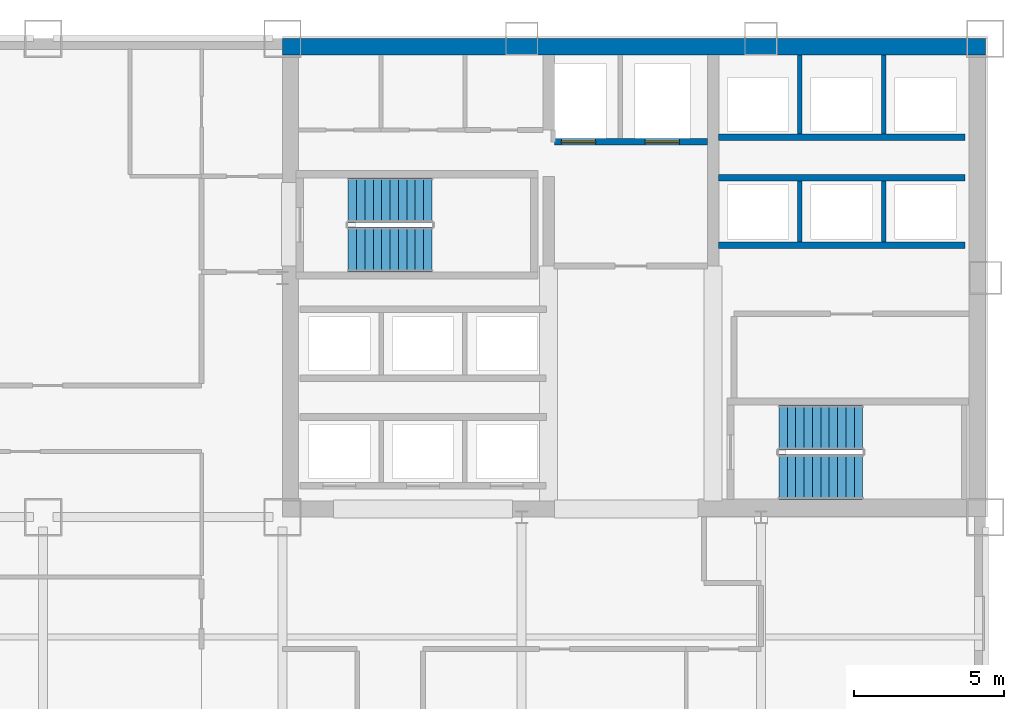
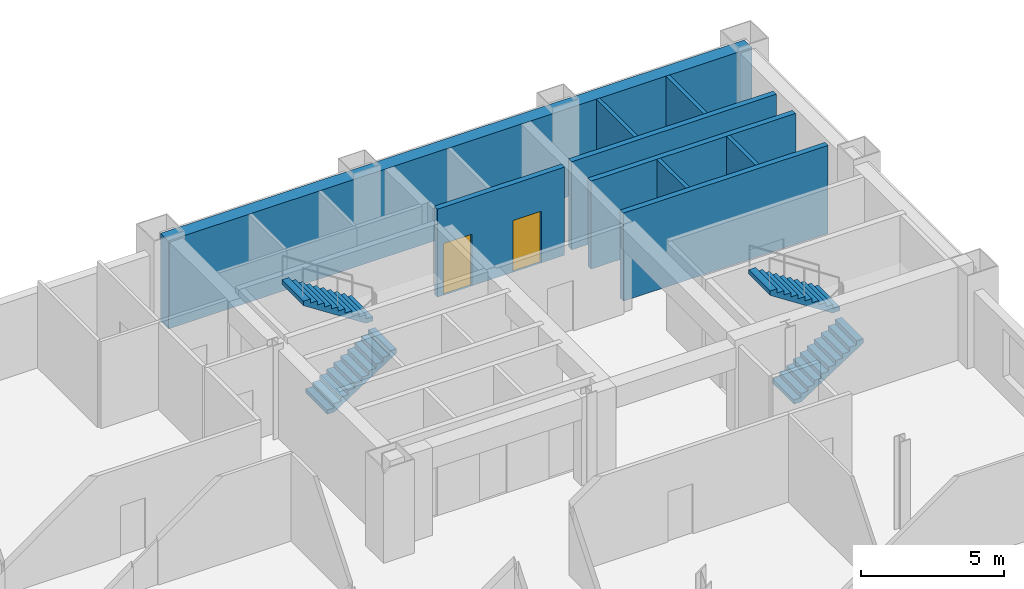
# One storey, part 7 of 9: 9 walls, 4 stair flights, 2 doors, 2 openings, 2 elements without a shape of their own.
"""IFC4 building model written with IfcOpenShell, lengths in metres."""

import ifcopenshell
import ifcopenshell.guid

model = None  # the IFC model being written
_history = None  # IfcOwnerHistory: only IFC2X3 demands one
_inside = {}  # id of a spatial element -> (the spatial element, [elements in it])
_under = {}  # id of a project, library or spatial element -> (it, [spatial elements below it])
_declared = {}  # id of a project -> (the project, [libraries it declares])
_typed = {}  # id of a type object -> (the type object, [elements of that type])
_made_of = {}  # id of a material, layer set ... -> (it, [elements and type objects made of it])


def new_model(schema):
    """Start an empty IFC model of exactly this schema.

    Asked for "IFC4X3", IfcOpenShell would pick the latest addendum, in which some entities
    have other attributes; the version numbers below select the first issue.
    IFC2X3 requires an IfcOwnerHistory on every rooted entity: one is made here for all.
    """
    global model, _history
    if schema == "IFC4X3":
        model = ifcopenshell.file(schema_version=(4, 3, 0, 0))
    else:
        model = ifcopenshell.file(schema=schema)
    _inside.clear()
    _under.clear()
    _declared.clear()
    _typed.clear()
    _made_of.clear()
    _history = None
    if model.schema == "IFC2X3":
        org = make("IfcOrganization", Name="unknown")
        user = make(
            "IfcPersonAndOrganization",
            ThePerson=make("IfcPerson", FamilyName="unknown"),
            TheOrganization=org,
        )
        app = make(
            "IfcApplication",
            ApplicationDeveloper=org,
            Version="unknown",
            ApplicationFullName="unknown",
            ApplicationIdentifier="unknown",
        )
        _history = make(
            "IfcOwnerHistory",
            OwningUser=user,
            OwningApplication=app,
            ChangeAction="ADDED",
            CreationDate=0,
        )
    return model


def make(cls, **values):
    """One entity of the class cls with the attributes given. An attribute that is None is left unset."""
    return model.create_entity(
        cls, **{name: value for name, value in values.items() if value is not None}
    )


def rooted(cls, **values):
    """An entity with a GlobalId (a new one), such as an element, a storey or a relation."""
    return make(cls, GlobalId=ifcopenshell.guid.new(), OwnerHistory=_history, **values)


def si_unit(unit_type, name, prefix=None):
    """IfcSIUnit, for example si_unit("LENGTHUNIT", "METRE", prefix="MILLI")."""
    return make("IfcSIUnit", UnitType=unit_type, Prefix=prefix, Name=name)


def assignment(units):
    """IfcUnitAssignment: the units of a project."""
    return None if units is None else make("IfcUnitAssignment", Units=units)


def point(xyz):
    """IfcCartesianPoint."""
    return None if xyz is None else make("IfcCartesianPoint", Coordinates=xyz)


def direction(xyz):
    """IfcDirection."""
    return None if xyz is None else make("IfcDirection", DirectionRatios=xyz)


def frame(location, z_axis=None, x_axis=None):
    """IfcAxis2Placement3D, a coordinate frame: its origin and axes. An axis left out is left unset."""
    return make(
        "IfcAxis2Placement3D",
        Location=point(location),
        Axis=direction(z_axis),
        RefDirection=direction(x_axis),
    )


def frame_2d(location, x_axis=None):
    """IfcAxis2Placement2D, a coordinate frame in the plane: its origin and x axis."""
    return make(
        "IfcAxis2Placement2D", Location=point(location), RefDirection=direction(x_axis)
    )


def origin():
    """The frame at (0, 0, 0) with its axes left unset."""
    return frame((0.0, 0.0, 0.0))


def place(relative_to, where):
    """IfcLocalPlacement: puts the frame where relative to a parent placement (None: the world)."""
    return make(
        "IfcLocalPlacement", PlacementRelTo=relative_to, RelativePlacement=where
    )


def context(
    kind, dimensions, precision=None, world=None, true_north=None, identifier=None
):
    """IfcGeometricRepresentationContext, for example the 3D "Model" context."""
    return make(
        "IfcGeometricRepresentationContext",
        ContextIdentifier=identifier,
        ContextType=kind,
        CoordinateSpaceDimension=dimensions,
        Precision=precision,
        WorldCoordinateSystem=world,
        TrueNorth=true_north,
    )


def subcontext(parent, identifier, kind, view, scale=None):
    """IfcGeometricRepresentationSubContext, for example "Body" below "Model"."""
    return make(
        "IfcGeometricRepresentationSubContext",
        ContextIdentifier=identifier,
        ContextType=kind,
        ParentContext=parent,
        TargetScale=scale,
        TargetView=view,
    )


def project(units=None, contexts=None):
    """IfcProject with its units and contexts."""
    return rooted(
        "IfcProject",
        Name="project",
        RepresentationContexts=contexts,
        UnitsInContext=assignment(units),
    )


def spatial(cls, under=None, at=None, **own):
    """A site, building, storey or space (cls), placed at a placement, below another one or the project."""
    s = rooted(cls, ObjectPlacement=at, **own)
    if under is not None:
        _under.setdefault(under.id(), (under, []))[1].append(s)
    return s


def polyline(points):
    """IfcPolyline through the points."""
    return make("IfcPolyline", Points=[point(p) for p in points])


def profile(cls, at=None, kind="AREA", **sizes):
    """A parametric profile (cls). Its sizes go by their IFC names, for example OverallWidth=200.0."""
    return make(cls, ProfileType=kind, Position=at, **sizes)


def rectangle(**sizes):
    """IfcRectangleProfileDef."""
    return profile("IfcRectangleProfileDef", **sizes)


def outline(outer, holes=None, kind="AREA"):
    """IfcArbitraryClosedProfileDef: a profile drawn as a closed curve; with holes, ...WithVoids."""
    if holes is None:
        return make("IfcArbitraryClosedProfileDef", ProfileType=kind, OuterCurve=outer)
    return make(
        "IfcArbitraryProfileDefWithVoids",
        ProfileType=kind,
        OuterCurve=outer,
        InnerCurves=holes,
    )


def extrude(swept, where, along, depth):
    """IfcExtrudedAreaSolid: the profile swept, set in the frame where, extruded along a direction by depth."""
    return make(
        "IfcExtrudedAreaSolid",
        SweptArea=swept,
        Position=where,
        ExtrudedDirection=direction(along),
        Depth=depth,
    )


def shape(context_of_items, identifier, shape_type, items):
    """IfcShapeRepresentation: the items that make up one representation, for example the "Body"."""
    return make(
        "IfcShapeRepresentation",
        ContextOfItems=context_of_items,
        RepresentationIdentifier=identifier,
        RepresentationType=shape_type,
        Items=items,
    )


def material(Name=None, Category=None):
    """IfcMaterial."""
    return make("IfcMaterial", Name=Name, Category=Category)


def layer(
    of_material, thickness, ventilated=None, Name=None, Category=None, Priority=None
):
    """IfcMaterialLayer: one layer of a wall or slab, of a material (None: an air gap)."""
    return make(
        "IfcMaterialLayer",
        Material=of_material,
        LayerThickness=thickness,
        IsVentilated=ventilated,
        Name=Name,
        Category=Category,
        Priority=Priority,
    )


def layer_set(layers, Name=None):
    """IfcMaterialLayerSet."""
    return make("IfcMaterialLayerSet", MaterialLayers=layers, LayerSetName=Name)


def made_of(thing, what):
    """Note that an element or type object is made of a material, layer set ...; save() writes the relation."""
    if what is not None:
        _made_of.setdefault(what.id(), (what, []))[1].append(thing)
    return thing


def type_object(cls, material=None, **own):
    """A type object (cls), such as IfcWallType, which elements share."""
    return made_of(rooted(cls, **own), material)


def element(
    cls,
    number,
    at=None,
    inside=None,
    cuts=None,
    type_object=None,
    material=None,
    context=None,
    identifier="Body",
    shape_type=None,
    held_by="IfcProductDefinitionShape",
    body=None,
    shapes=None,
    **own,
):
    """One element of the class cls, such as IfcWall. Its Tag is "e" and its number.

    at: its placement. inside: the storey or other place that contains it. cuts: it is an
    opening in that element (IfcRelVoidsElement). A single representation is given by context,
    identifier, shape_type and body (its items); several are given by shapes. held_by: the class
    of the entity that holds the representations. save() writes the other relations.
    """
    e = rooted(cls, Tag="e%d" % number, ObjectPlacement=at, **own)
    if body is not None:
        shapes = [shape(context, identifier, shape_type, body)]
    if shapes is not None:
        e.Representation = make(held_by, Representations=shapes)
    if inside is not None:
        _inside.setdefault(inside.id(), (inside, []))[1].append(e)
    if cuts is not None:
        rooted(
            "IfcRelVoidsElement", RelatingBuildingElement=cuts, RelatedOpeningElement=e
        )
    if type_object is not None:
        _typed.setdefault(type_object.id(), (type_object, []))[1].append(e)
    return made_of(e, material)


def fill(opening, filler):
    """IfcRelFillsElement: the door or window that sits in an opening."""
    return rooted(
        "IfcRelFillsElement",
        RelatingOpeningElement=opening,
        RelatedBuildingElement=filler,
    )


def aggregate(whole, parts):
    """IfcRelAggregates: a whole, such as a stair, and the parts it consists of."""
    return rooted("IfcRelAggregates", RelatingObject=whole, RelatedObjects=parts)


def save(model, path):
    """Write the relations noted so far, then the file.

    IfcRelAggregates (storeys below a building ...), IfcRelContainedInSpatialStructure (elements
    in a storey), IfcRelDefinesByType, IfcRelAssociatesMaterial and IfcRelDeclares: one each for
    every whole, place, type object, material and project.
    """
    for whole, parts in _under.values():
        aggregate(whole, parts)
    for where, things in _inside.values():
        rooted(
            "IfcRelContainedInSpatialStructure",
            RelatedElements=things,
            RelatingStructure=where,
        )
    for kind, things in _typed.values():
        rooted("IfcRelDefinesByType", RelatedObjects=things, RelatingType=kind)
    for what, things in _made_of.values():
        rooted("IfcRelAssociatesMaterial", RelatedObjects=things, RelatingMaterial=what)
    for by, libraries in _declared.values():
        rooted("IfcRelDeclares", RelatingContext=by, RelatedDefinitions=libraries)
    model.write(path)


model = new_model("IFC4")

# Units and contexts
model_context = context("Model", 3, precision=1e-05, world=origin(), true_north=direction((0.0, 1.0)))
body_context = subcontext(model_context, "Body", "Model", "MODEL_VIEW")
ifc_project = project(units=[si_unit("LENGTHUNIT", "METRE"), si_unit("AREAUNIT", "SQUARE_METRE"), si_unit("VOLUMEUNIT", "CUBIC_METRE"), si_unit("PLANEANGLEUNIT", "RADIAN"), si_unit("MASSUNIT", "GRAM", prefix="KILO")], contexts=[model_context])

# Site, building, storey
site_placement = place(None, origin())
site = spatial("IfcSite", under=ifc_project, at=site_placement, CompositionType="ELEMENT")
building_placement = place(site_placement, origin())
building = spatial("IfcBuilding", under=site, at=building_placement, Name="Qianrong Seaharbour Tower", CompositionType="ELEMENT")
storey_placement = place(building_placement, frame((0.0, 0.0, 88.199951171875)))
storey = spatial("IfcBuildingStorey", under=building, at=storey_placement, Name="L21", CompositionType="ELEMENT", Elevation=88.199951171875)

# Walls
ifc_material_1 = material(Name="Concrete C70/85", Category="concrete")
ifc_layer_1 = layer(ifc_material_1, 0.5400390625)
ifc_layer_set_1 = layer_set([ifc_layer_1], Name="Concrete C70/85")
wall_type_1 = type_object("IfcWallType", Name="WALL-CORE-540", PredefinedType="SHEAR", material=ifc_layer_set_1)
wall_1_placement = place(storey_placement, frame((40.5, 51.72998046875, 0.0), z_axis=(0.0, 0.0, 1.0), x_axis=(1.0, 0.0, 0.0)))
element("IfcWall", 1, at=wall_1_placement, inside=storey, type_object=wall_type_1, Name="L21 North Core Shear Wall", PredefinedType="SHEAR", context=body_context, shape_type="SweptSolid", body=[
    extrude(rectangle(XDim=23.5, YDim=0.5400390625, at=frame_2d((11.75, 0.0))), origin(), (0.0, 0.0, 1.0), 3.75),
])
ifc_material_2 = material(Name="Fire-rated gypsum board on steel studs", Category="steel")
ifc_layer_2 = layer(ifc_material_2, 0.14990234375)
ifc_layer_set_2 = layer_set([ifc_layer_2], Name="Fire-rated gypsum board on steel studs")
wall_type_2 = type_object("IfcWallType", Name="WALL-SHAFT-DIV-150", PredefinedType="PARTITIONING", material=ifc_layer_set_2)
for number, where, z_axis, x_axis, name in (
    (2, (57.800048828125, 45.2099609375, 0.0), (0.0, 0.0, 1.0), (0.0, 1.0, 0.0), "L21 P3 Lift Hoistway Divider 2"),
    (3, (60.60009765625, 45.2099609375, 0.0), (0.0, 0.0, 1.0), (0.0, 1.0, 0.0), "L21 P3 Lift Hoistway Divider 3"),
):
    element("IfcWall", number, at=place(storey_placement, frame(where, z_axis=z_axis, x_axis=x_axis)), inside=storey, type_object=wall_type_2, Name=name, PredefinedType="PARTITIONING", context=body_context, shape_type="SweptSolid", body=[
        extrude(rectangle(XDim=2.030029296875, YDim=0.14990234375, at=frame_2d((1.01513671875, 0.0))), origin(), (0.0, 0.0, 1.0), 3.75),
    ])
for number, where, z_axis, x_axis, name in (
    (4, (57.800048828125, 48.81005859375, 0.0), (0.0, 0.0, 1.0), (0.0, 1.0, 0.0), "L21 P4 Lift Hoistway Divider 2"),
    (5, (60.60009765625, 48.81005859375, 0.0), (0.0, 0.0, 1.0), (0.0, 1.0, 0.0), "L21 P4 Lift Hoistway Divider 3"),
):
    element("IfcWall", number, at=place(storey_placement, frame(where, z_axis=z_axis, x_axis=x_axis)), inside=storey, type_object=wall_type_2, Name=name, PredefinedType="PARTITIONING", context=body_context, shape_type="SweptSolid", body=[
        extrude(rectangle(XDim=2.64990234375, YDim=0.14990234375, at=frame_2d((1.324951171875, 0.0))), origin(), (0.0, 0.0, 1.0), 3.75),
    ])

# Wall, openings, doors
ifc_layer_3 = layer(ifc_material_2, 0.219970703125)
ifc_layer_set_3 = layer_set([ifc_layer_3], Name="Fire-rated gypsum board on steel studs")
wall_type_3 = type_object("IfcWallType", Name="WALL-SHAFT-GYP220", PredefinedType="PARTITIONING", material=ifc_layer_set_3)
wall_2_placement = place(storey_placement, frame((54.7099609375, 48.550048828125, 0.0), z_axis=(0.0, 0.0, 1.0), x_axis=(-1.0, 0.0, 0.0)))
wall_2 = element("IfcWall", 6, at=wall_2_placement, inside=storey, type_object=wall_type_3, Name="L21 Firefighting Lift Shaft Front Wall", PredefinedType="PARTITIONING", context=body_context, shape_type="SweptSolid", body=[
    extrude(rectangle(XDim=5.119873046875, YDim=0.219970703125, at=frame_2d((2.56005859375, 0.0))), origin(), (0.0, 0.0, 1.0), 3.75),
])
opening_1_placement = place(wall_2_placement, frame((3.735107421875, 0.0, 0.0)))
opening_1 = element("IfcOpeningElement", 7, at=opening_1_placement, cuts=wall_2, Name="Opening LD-01", PredefinedType="OPENING", context=body_context, shape_type="SweptSolid", body=[
    extrude(rectangle(XDim=1.14990234375, YDim=2.199951171875, at=frame_2d((0.574951171875, 1.10009765625))), frame((0.0, 0.1201171875, 0.0), z_axis=(0.0, -1.0, 0.0), x_axis=(1.0, 0.0, 0.0)), (0.0, 0.0, 1.0), 0.239990234375),
])
opening_2_placement = place(wall_2_placement, frame((0.93505859375, 0.0, 0.0)))
opening_2 = element("IfcOpeningElement", 8, at=opening_2_placement, cuts=wall_2, Name="Opening LD-01", PredefinedType="OPENING", context=body_context, shape_type="SweptSolid", body=[
    extrude(rectangle(XDim=1.14990234375, YDim=2.199951171875, at=frame_2d((0.574951171875, 1.10009765625))), frame((0.0, 0.1201171875, 0.0), z_axis=(0.0, -1.0, 0.0), x_axis=(1.0, 0.0, 0.0)), (0.0, 0.0, 1.0), 0.239990234375),
])
ifc_material_3 = material(Name="Stainless steel SUS316L bi-parting lift landing door", Category="steel")
door_type = type_object("IfcDoorType", Name="DOOR-LIFT-FF-1150x2200", OperationType="DOUBLE_DOOR_SLIDING", PredefinedType="DOOR", material=ifc_material_3)
door_1_placement = place(opening_1_placement, origin())
door_1 = element("IfcDoor", 9, at=door_1_placement, inside=storey, type_object=door_type, Name="L21 FL-1 Firefighting Lift Landing Door", OperationType="DOUBLE_DOOR_SLIDING", OverallHeight=2.199951171875, OverallWidth=1.14990234375, PredefinedType="DOOR", context=body_context, shape_type="SweptSolid", body=[
    extrude(rectangle(XDim=1.14990234375, YDim=2.199951171875, at=frame_2d((0.574951171875, 1.10009765625))), frame((0.0, 0.02490234375, 0.0), z_axis=(0.0, -1.0, 0.0), x_axis=(1.0, 0.0, 0.0)), (0.0, 0.0, 1.0), 0.050048828125),
])
fill(opening_1, door_1)
door_2_placement = place(opening_2_placement, origin())
door_2 = element("IfcDoor", 10, at=door_2_placement, inside=storey, type_object=door_type, Name="L21 FL-2 Firefighting Lift Landing Door", OperationType="DOUBLE_DOOR_SLIDING", OverallHeight=2.199951171875, OverallWidth=1.14990234375, PredefinedType="DOOR", context=body_context, shape_type="SweptSolid", body=[
    extrude(rectangle(XDim=1.14990234375, YDim=2.199951171875, at=frame_2d((0.574951171875, 1.10009765625))), frame((0.0, 0.02490234375, 0.0), z_axis=(0.0, -1.0, 0.0), x_axis=(1.0, 0.0, 0.0)), (0.0, 0.0, 1.0), 0.050048828125),
])
fill(opening_2, door_2)

# Walls
for number, where, z_axis, x_axis, name in (
    (11, (63.320068359375, 45.10009765625, 0.0), (0.0, 0.0, 1.0), (-1.0, 0.0, 0.0), "L21 P3 Lift Hoistway Front Wall"),
    (12, (55.080078125, 47.35009765625, 0.0), (0.0, 0.0, 1.0), (1.0, 0.0, 0.0), "L21 P3 Lift Hoistway Back Wall"),
    (13, (63.320068359375, 48.699951171875, 0.0), (0.0, 0.0, 1.0), (-1.0, 0.0, 0.0), "L21 P4 Lift Hoistway Front Wall"),
):
    element("IfcWall", number, at=place(storey_placement, frame(where, z_axis=z_axis, x_axis=x_axis)), inside=storey, type_object=wall_type_3, Name=name, PredefinedType="PARTITIONING", context=body_context, shape_type="SweptSolid", body=[
        extrude(rectangle(XDim=8.239990234375, YDim=0.219970703125, at=frame_2d((4.1201171875, 0.0))), origin(), (0.0, 0.0, 1.0), 3.75),
    ])

# Stair, stair flights
ifc_material_4 = material(Name="Concrete C50/60", Category="concrete")
stair_type = type_object("IfcStairType", Name="STAIR-DOGLEG-1500-R22", PredefinedType="HALF_TURN_STAIR", material=ifc_material_4)
stair_1_placement = place(storey_placement, origin())
stair_1 = element("IfcStair", 14, at=stair_1_placement, inside=storey, type_object=stair_type, Name="L21 Protected Escape Stair ST-1", PredefinedType="HALF_TURN_STAIR")
stair_flight_type = type_object("IfcStairFlightType", Name="FLIGHT-STR-1500-R22", PredefinedType="STRAIGHT", material=ifc_material_4)
stair_flight_1_placement = place(storey_placement, frame((42.699951171875, 44.949951171875, 0.0), z_axis=(0.0, 0.0, 1.0), x_axis=(1.0, 0.0, 0.0)))
stair_flight_1 = element("IfcStairFlight", 15, at=stair_flight_1_placement, type_object=stair_flight_type, Name="ST-1 flight 1", NumberOfRisers=11, NumberOfTreads=10, PredefinedType="STRAIGHT", RiserHeight=0.181818182, TreadLength=0.28, context=body_context, shape_type="SweptSolid", body=[
    extrude(outline(polyline([(0.0, 0.0), (0.0, 0.181884765625), (0.280029296875, 0.181884765625), (0.280029296875, 0.363525390625), (0.56005859375, 0.363525390625), (0.56005859375, 0.54541015625), (0.840087890625, 0.54541015625), (0.840087890625, 0.727294921875), (1.1201171875, 0.727294921875), (1.1201171875, 0.9091796875), (1.39990234375, 0.9091796875), (1.39990234375, 1.0908203125), (1.679931640625, 1.0908203125), (1.679931640625, 1.272705078125), (1.9599609375, 1.272705078125), (1.9599609375, 1.45458984375), (2.239990234375, 1.45458984375), (2.239990234375, 1.636474609375), (2.52001953125, 1.636474609375), (2.52001953125, 1.818115234375), (2.800048828125, 1.818115234375), (2.800048828125, 2.0), (2.800048828125, 1.62744140625), (0.293701171875, 0.0), (0.0, 0.0)])), frame((0.0, 0.75, 0.0), z_axis=(0.0, -1.0, 0.0), x_axis=(1.0, 0.0, 0.0)), (0.0, 0.0, 1.0), 1.5),
])
stair_flight_2_placement = place(storey_placement, frame((45.5, 46.60009765625, 2.0), z_axis=(0.0, 0.0, 1.0), x_axis=(-1.0, 0.0, 0.0)))
stair_flight_2 = element("IfcStairFlight", 16, at=stair_flight_2_placement, type_object=stair_flight_type, Name="ST-1 flight 2", NumberOfRisers=11, NumberOfTreads=10, PredefinedType="STRAIGHT", RiserHeight=0.181818182, TreadLength=0.28, context=body_context, shape_type="SweptSolid", body=[
    extrude(outline(polyline([(0.0, 0.0), (0.0, 0.181884765625), (0.280029296875, 0.181884765625), (0.280029296875, 0.363525390625), (0.56005859375, 0.363525390625), (0.56005859375, 0.54541015625), (0.840087890625, 0.54541015625), (0.840087890625, 0.727294921875), (1.1201171875, 0.727294921875), (1.1201171875, 0.9091796875), (1.39990234375, 0.9091796875), (1.39990234375, 1.0908203125), (1.679931640625, 1.0908203125), (1.679931640625, 1.272705078125), (1.9599609375, 1.272705078125), (1.9599609375, 1.45458984375), (2.239990234375, 1.45458984375), (2.239990234375, 1.636474609375), (2.52001953125, 1.636474609375), (2.52001953125, 1.818115234375), (2.800048828125, 1.818115234375), (2.800048828125, 2.0), (2.800048828125, 1.62744140625), (0.293701171875, 0.0), (0.0, 0.0)])), frame((0.0, 0.75, 0.0), z_axis=(0.0, -1.0, 0.0), x_axis=(1.0, 0.0, 0.0)), (0.0, 0.0, 1.0), 1.5),
])
aggregate(stair_1, [stair_flight_1, stair_flight_2])

stair_2_placement = place(storey_placement, origin())
stair_2 = element("IfcStair", 17, at=stair_2_placement, inside=storey, type_object=stair_type, Name="L21 Protected Escape Stair ST-2", PredefinedType="HALF_TURN_STAIR")
stair_flight_3_placement = place(storey_placement, frame((57.10009765625, 37.35009765625, 0.0), z_axis=(0.0, 0.0, 1.0), x_axis=(1.0, 0.0, 0.0)))
stair_flight_3 = element("IfcStairFlight", 18, at=stair_flight_3_placement, type_object=stair_flight_type, Name="ST-2 flight 1", NumberOfRisers=11, NumberOfTreads=10, PredefinedType="STRAIGHT", RiserHeight=0.181818182, TreadLength=0.28, context=body_context, shape_type="SweptSolid", body=[
    extrude(outline(polyline([(0.0, 0.0), (0.0, 0.181884765625), (0.280029296875, 0.181884765625), (0.280029296875, 0.363525390625), (0.56005859375, 0.363525390625), (0.56005859375, 0.54541015625), (0.840087890625, 0.54541015625), (0.840087890625, 0.727294921875), (1.1201171875, 0.727294921875), (1.1201171875, 0.9091796875), (1.39990234375, 0.9091796875), (1.39990234375, 1.0908203125), (1.679931640625, 1.0908203125), (1.679931640625, 1.272705078125), (1.9599609375, 1.272705078125), (1.9599609375, 1.45458984375), (2.239990234375, 1.45458984375), (2.239990234375, 1.636474609375), (2.52001953125, 1.636474609375), (2.52001953125, 1.818115234375), (2.800048828125, 1.818115234375), (2.800048828125, 2.0), (2.800048828125, 1.62744140625), (0.293701171875, 0.0), (0.0, 0.0)])), frame((0.0, 0.75, 0.0), z_axis=(0.0, -1.0, 0.0), x_axis=(1.0, 0.0, 0.0)), (0.0, 0.0, 1.0), 1.5),
])
stair_flight_4_placement = place(storey_placement, frame((59.89990234375, 39.0, 2.0), z_axis=(0.0, 0.0, 1.0), x_axis=(-1.0, 0.0, 0.0)))
stair_flight_4 = element("IfcStairFlight", 19, at=stair_flight_4_placement, type_object=stair_flight_type, Name="ST-2 flight 2", NumberOfRisers=11, NumberOfTreads=10, PredefinedType="STRAIGHT", RiserHeight=0.181818182, TreadLength=0.28, context=body_context, shape_type="SweptSolid", body=[
    extrude(outline(polyline([(0.0, 0.0), (0.0, 0.181884765625), (0.280029296875, 0.181884765625), (0.280029296875, 0.363525390625), (0.56005859375, 0.363525390625), (0.56005859375, 0.54541015625), (0.840087890625, 0.54541015625), (0.840087890625, 0.727294921875), (1.1201171875, 0.727294921875), (1.1201171875, 0.9091796875), (1.39990234375, 0.9091796875), (1.39990234375, 1.0908203125), (1.679931640625, 1.0908203125), (1.679931640625, 1.272705078125), (1.9599609375, 1.272705078125), (1.9599609375, 1.45458984375), (2.239990234375, 1.45458984375), (2.239990234375, 1.636474609375), (2.52001953125, 1.636474609375), (2.52001953125, 1.818115234375), (2.800048828125, 1.818115234375), (2.800048828125, 2.0), (2.800048828125, 1.62744140625), (0.293701171875, 0.0), (0.0, 0.0)])), frame((0.0, 0.75, 0.0), z_axis=(0.0, -1.0, 0.0), x_axis=(1.0, 0.0, 0.0)), (0.0, 0.0, 1.0), 1.5),
])
aggregate(stair_2, [stair_flight_3, stair_flight_4])

save(model, "model.ifc")
